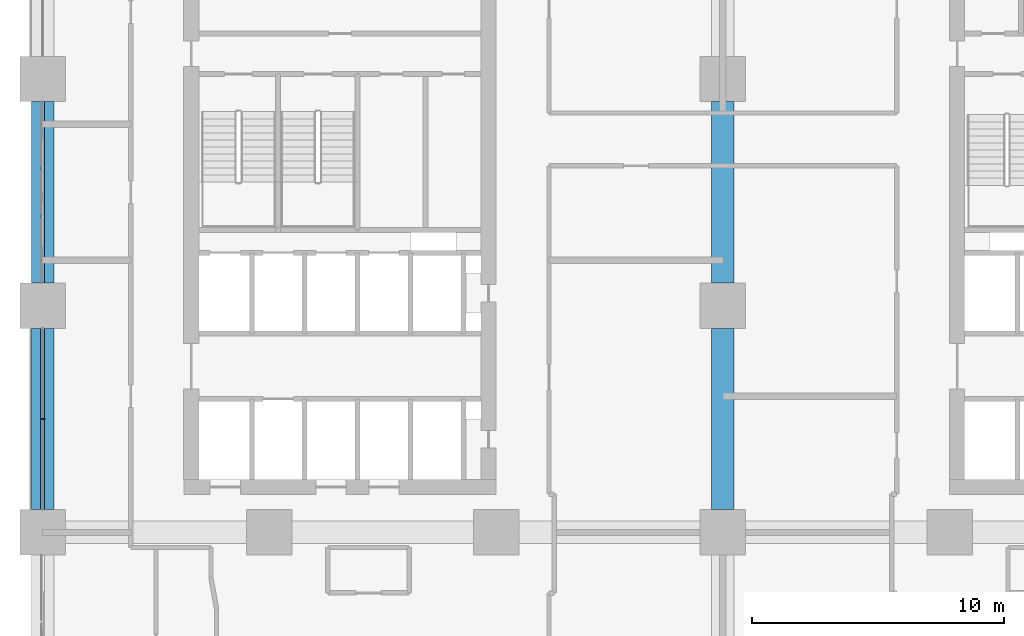
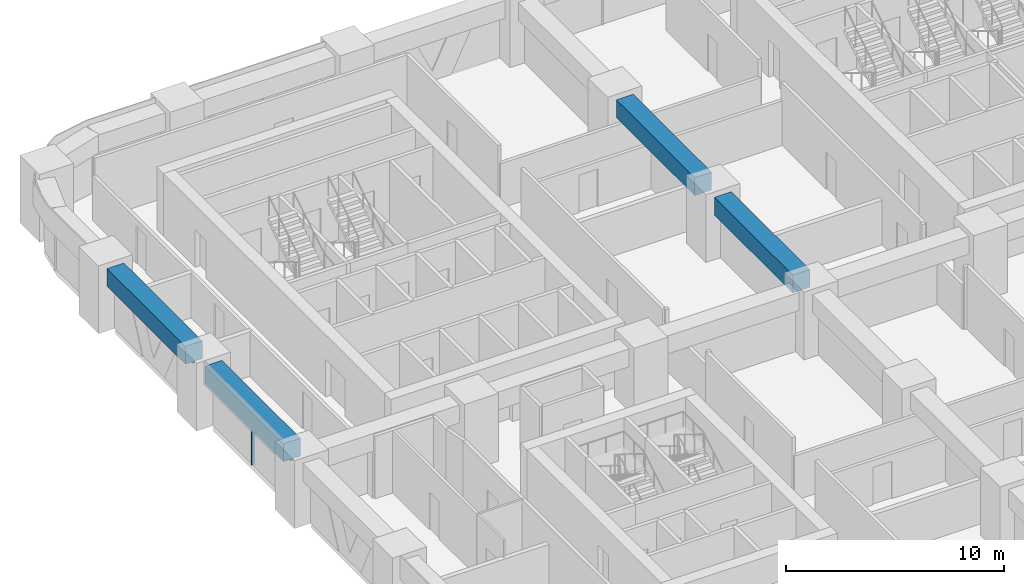
# One storey, part 6 of 22: 4 beams, 3 members, 2 elements without a shape of their own.
"""IFC4 building model written with IfcOpenShell, lengths in metres."""

from ifc_helpers import new_model, si_unit, direction, frame, origin, origin_2d, place, context, subcontext, project, spatial, rectangle, extrude, material, material_profile, profile_set, type_object, element, aggregate, save


model = new_model("IFC4")

# Units and contexts
model_context = context("Model", 3, precision=1e-05, world=origin(), true_north=direction((0.0, 1.0)))
body_context = subcontext(model_context, "Body", "Model", "MODEL_VIEW")
ifc_project = project(units=[si_unit("LENGTHUNIT", "METRE"), si_unit("AREAUNIT", "SQUARE_METRE"), si_unit("VOLUMEUNIT", "CUBIC_METRE"), si_unit("PLANEANGLEUNIT", "RADIAN"), si_unit("MASSUNIT", "GRAM", prefix="KILO")], contexts=[model_context])

# Site, building, storey
site_placement = place(None, origin())
site = spatial("IfcSite", under=ifc_project, at=site_placement, CompositionType="ELEMENT")
building_placement = place(site_placement, origin())
building = spatial("IfcBuilding", under=site, at=building_placement, Name="Tessera Arch", CompositionType="ELEMENT")
storey_placement = place(building_placement, frame((0.0, 0.0, 53.800048828125)))
storey = spatial("IfcBuildingStorey", under=building, at=storey_placement, Name="L11", CompositionType="ELEMENT", Elevation=53.800048828125)

# Curtain wall, members
ifc_material_1 = material(Name="CW1 curtain wall")
curtain_wall_type_1 = type_object("IfcCurtainWallType", Name="CW1 curtain wall", PredefinedType="NOTDEFINED", material=ifc_material_1)
curtain_wall_1_placement = place(storey_placement, origin())
curtain_wall_1 = element("IfcCurtainWall", 1, at=curtain_wall_1_placement, inside=storey, type_object=curtain_wall_type_1, Name="CW1 curtain wall W0.0/2 L11", PredefinedType="NOTDEFINED")
ifc_material_2 = material(Name="Anodised aluminium pale metal", Category="aluminium")
ifc_material_profile_1 = material_profile(ifc_material_2, rectangle(XDim=0.159912109375, YDim=0.06005859375, at=origin_2d()), Name="AL 60x160")
ifc_profile_set_1 = profile_set([ifc_material_profile_1], Name="Anodised aluminium pale metal")
member_type_1 = type_object("IfcMemberType", Name="CW1 mullion", PredefinedType="MULLION", material=ifc_profile_set_1)
member_1_placement = place(storey_placement, frame((0.0, 31.5, 0.0), z_axis=(0.0, 0.0, 1.0), x_axis=(1.0, 0.0, 0.0)))
member_1 = element("IfcMember", 2, at=member_1_placement, type_object=member_type_1, Name="CW1 mullion W0.0/2 1", PredefinedType="MULLION", context=body_context, shape_type="SweptSolid", body=[
    extrude(rectangle(XDim=0.159912109375, YDim=0.06005859375, at=origin_2d()), origin(), (0.0, 0.0, 1.0), 2.39990234375),
])
ifc_material_3 = material(Name="Anodised aluminium pale metal", Category="aluminium")
ifc_material_profile_2 = material_profile(ifc_material_3, rectangle(XDim=0.159912109375, YDim=0.10009765625, at=origin_2d()), Name="AL 160x100")
ifc_profile_set_2 = profile_set([ifc_material_profile_2], Name="Anodised aluminium pale metal")
member_type_2 = type_object("IfcMemberType", Name="CW1 transom", PredefinedType="USERDEFINED", material=ifc_profile_set_2)
member_2_placement = place(storey_placement, frame((0.0, 35.10009765625, 2.449951171875), z_axis=(0.0, -1.0, 0.0), x_axis=(1.0, 0.0, 0.0)))
member_2 = element("IfcMember", 3, at=member_2_placement, type_object=member_type_2, Name="CW1 transom W0.0/2 1.1", ObjectType="TRANSOM", PredefinedType="USERDEFINED", context=body_context, shape_type="SweptSolid", body=[
    extrude(rectangle(XDim=0.159912109375, YDim=0.10009765625, at=origin_2d()), origin(), (0.0, 0.0, 1.0), 7.2001953125),
])
aggregate(curtain_wall_1, [member_1, member_2])

# Curtain wall, member
ifc_material_4 = material(Name="CW3 curtain wall")
curtain_wall_type_2 = type_object("IfcCurtainWallType", Name="CW3 curtain wall", PredefinedType="NOTDEFINED", material=ifc_material_4)
curtain_wall_2_placement = place(storey_placement, origin())
curtain_wall_2 = element("IfcCurtainWall", 4, at=curtain_wall_2_placement, inside=storey, type_object=curtain_wall_type_2, Name="CW3 curtain wall W0.0/1 L11", PredefinedType="NOTDEFINED")
ifc_material_5 = material(Name="Anodised aluminium pale metal", Category="aluminium")
ifc_material_profile_3 = material_profile(ifc_material_5, rectangle(XDim=0.139892578125, YDim=0.10009765625, at=origin_2d()), Name="AL 140x100")
ifc_profile_set_3 = profile_set([ifc_material_profile_3], Name="Anodised aluminium pale metal")
member_type_3 = type_object("IfcMemberType", Name="CW3 transom", PredefinedType="USERDEFINED", material=ifc_profile_set_3)
member_3_placement = place(storey_placement, frame((0.0, 44.10009765625, 2.449951171875), z_axis=(0.0, -1.0, 0.0), x_axis=(1.0, 0.0, 0.0)))
member_3 = element("IfcMember", 5, at=member_3_placement, type_object=member_type_3, Name="CW3 transom W0.0/1 1.1", ObjectType="TRANSOM", PredefinedType="USERDEFINED", context=body_context, shape_type="SweptSolid", body=[
    extrude(rectangle(XDim=0.139892578125, YDim=0.10009765625, at=origin_2d()), origin(), (0.0, 0.0, 1.0), 7.2001953125),
])
aggregate(curtain_wall_2, [member_3])

# Beams
ifc_material_6 = material(Name="Concrete C80/95", Category="concrete")
ifc_material_profile_4 = material_profile(ifc_material_6, rectangle(XDim=0.89990234375, YDim=1.0, at=origin_2d()), Name="RC spandrel beam 900 x 1000 Concrete C80/95")
ifc_profile_set_4 = profile_set([ifc_material_profile_4], Name="Concrete C80/95")
beam_type = type_object("IfcBeamType", Name="RC spandrel beam 900 x 1000 Concrete C80/95", PredefinedType="BEAM", material=ifc_profile_set_4)
for number, where, z_axis, x_axis, name in (
    (6, (0.0, 44.10009765625, 3.0), (0.0, -1.0, 0.0), (1.0, 0.0, 0.0), "Spandrel beam L11 W0.0/1"),
    (7, (0.0, 35.10009765625, 3.0), (0.0, -1.0, 0.0), (1.0, 0.0, 0.0), "Spandrel beam L11 W0.0/2"),
    (8, (27.0, 27.89990234375, 3.0), (0.0, 1.0, 0.0), (-1.0, 0.0, 0.0), "Interface beam L11 I0C4D-C4E"),
    (9, (27.0, 36.89990234375, 3.0), (0.0, 1.0, 0.0), (-1.0, 0.0, 0.0), "Interface beam L11 I0C4E-C4F"),
):
    element("IfcBeam", number, at=place(storey_placement, frame(where, z_axis=z_axis, x_axis=x_axis)), inside=storey, type_object=beam_type, Name=name, PredefinedType="BEAM", context=body_context, shape_type="SweptSolid", body=[
        extrude(rectangle(XDim=0.89990234375, YDim=1.0, at=origin_2d()), origin(), (0.0, 0.0, 1.0), 7.2001953125),
    ])

save(model, "model.ifc")
